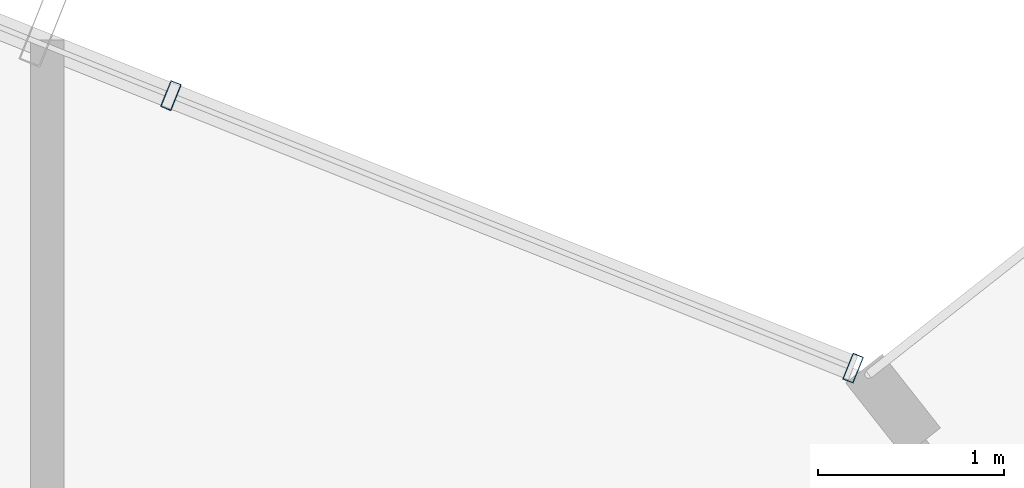
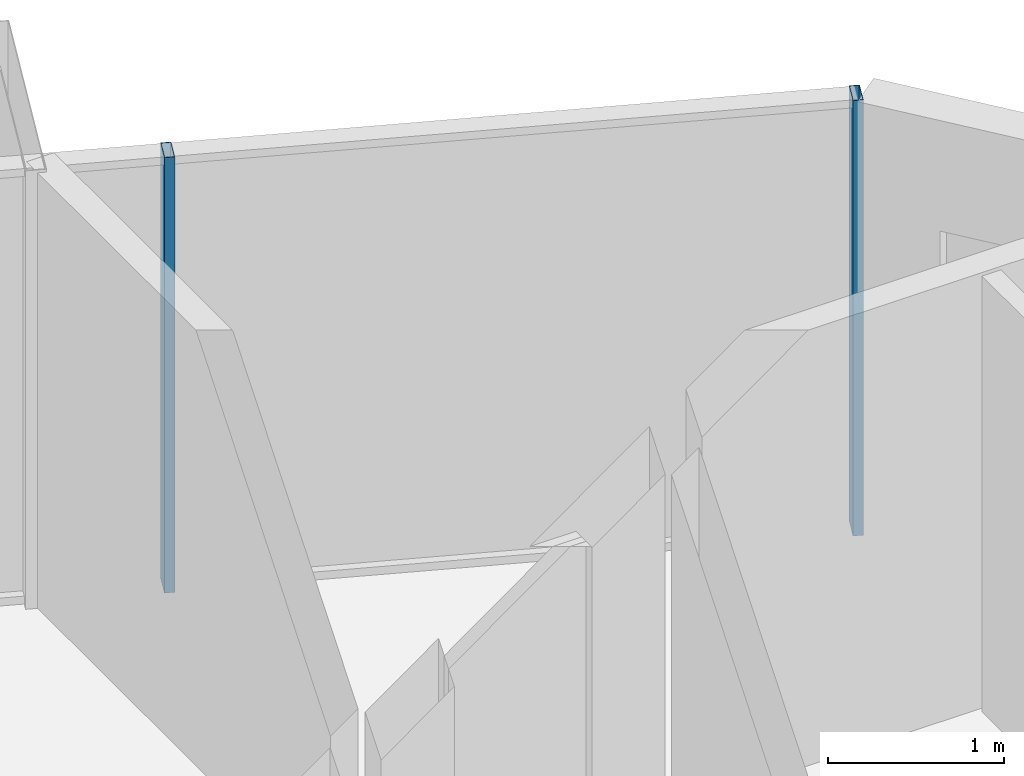
# One storey, part 25 of 31: 2 members, 1 element without a shape of its own.
"""IFC4 building model written with IfcOpenShell, lengths in metres."""

from ifc_helpers import new_model, si_unit, direction, frame, origin, origin_2d, place, context, subcontext, project, spatial, hollow_rectangle, extrude, source, transform, mapped, material, layer, layer_set, material_profile, profile_set, type_object, element, aggregate, save


model = new_model("IFC4")

# Units and contexts
model_context = context("Model", 3, precision=1e-05, world=origin(), true_north=direction((0.0, 1.0)))
body_context = subcontext(model_context, "Body", "Model", "MODEL_VIEW")
ifc_project = project(units=[si_unit("LENGTHUNIT", "METRE"), si_unit("AREAUNIT", "SQUARE_METRE"), si_unit("VOLUMEUNIT", "CUBIC_METRE"), si_unit("PLANEANGLEUNIT", "RADIAN"), si_unit("MASSUNIT", "GRAM", prefix="KILO")], contexts=[model_context])

# Site, building, storey
site_placement = place(None, origin())
site = spatial("IfcSite", under=ifc_project, at=site_placement, CompositionType="ELEMENT")
building_placement = place(site_placement, origin())
building = spatial("IfcBuilding", under=site, at=building_placement, Name="Veraguas Prism Commons", CompositionType="ELEMENT")
storey_placement = place(building_placement, frame((0.0, 0.0, 178.85009765625)))
storey = spatial("IfcBuildingStorey", under=building, at=storey_placement, Name="L50", CompositionType="ELEMENT", Elevation=178.85009765625)

# Curtain wall, members
ifc_material = material(Name="Anodised aluminium EN AW-6063 T6", Category="aluminium")
ifc_layer = layer(ifc_material, 0.14990234375, Name="Unitised Flush Curtain Wall Zone 3", Category="aluminium")
ifc_layer_set = layer_set([ifc_layer], Name="Anodised aluminium EN AW-6063 T6")
curtain_wall_type = type_object("IfcCurtainWallType", Name="Unitised Flush Curtain Wall Zone 3", PredefinedType="NOTDEFINED", material=ifc_layer_set)
curtain_wall_placement = place(storey_placement, origin())
curtain_wall = element("IfcCurtainWall", 1, at=curtain_wall_placement, inside=storey, type_object=curtain_wall_type, Name="Tower Facade Curtain Wall L50-F1", PredefinedType="NOTDEFINED")
ifc_material_profile = material_profile(ifc_material, hollow_rectangle(XDim=0.06005859375, YDim=0.14990234375, WallThickness=0.0029296875, at=origin_2d()), Name="AL60X150X3")
ifc_profile_set = profile_set([ifc_material_profile], Name="Anodised aluminium EN AW-6063 T6")
member_type = type_object("IfcMemberType", Name="Curtain Wall Mullion Upper AL 60x150x3", PredefinedType="MULLION", material=ifc_profile_set)
shared_shape = source(origin(), body_context, "Body", "SweptSolid", [
    extrude(hollow_rectangle(XDim=0.06005859375, YDim=0.14990234375, WallThickness=0.0029296875, at=origin_2d()), origin(), (0.0, 0.0, 1.0), 3.014892578125),
])
member_1_placement = place(storey_placement, frame((37.927001953125, 37.5068359375, 0.0), z_axis=(0.0, 0.0, 1.0), x_axis=(-0.928617992492, 0.37103722727, 0.0)))
member_1 = element("IfcMember", 2, at=member_1_placement, type_object=member_type, Name="CW-Z3 Mullion 1", PredefinedType="MULLION", context=body_context, shape_type="MappedRepresentation", body=[
    mapped(shared_shape, transform((0.0, 0.0, 0.0), scale=1.0)),
])
member_2_placement = place(storey_placement, frame((34.26318359375, 38.970947265625, 0.0), z_axis=(0.0, 0.0, 1.0), x_axis=(-0.928617992492, 0.37103722727, 0.0)))
member_2 = element("IfcMember", 3, at=member_2_placement, type_object=member_type, Name="CW-Z3 Mullion 2", PredefinedType="MULLION", context=body_context, shape_type="MappedRepresentation", body=[
    mapped(shared_shape, transform((0.0, 0.0, 0.0), scale=1.0)),
])
aggregate(curtain_wall, [member_1, member_2])

save(model, "model.ifc")
